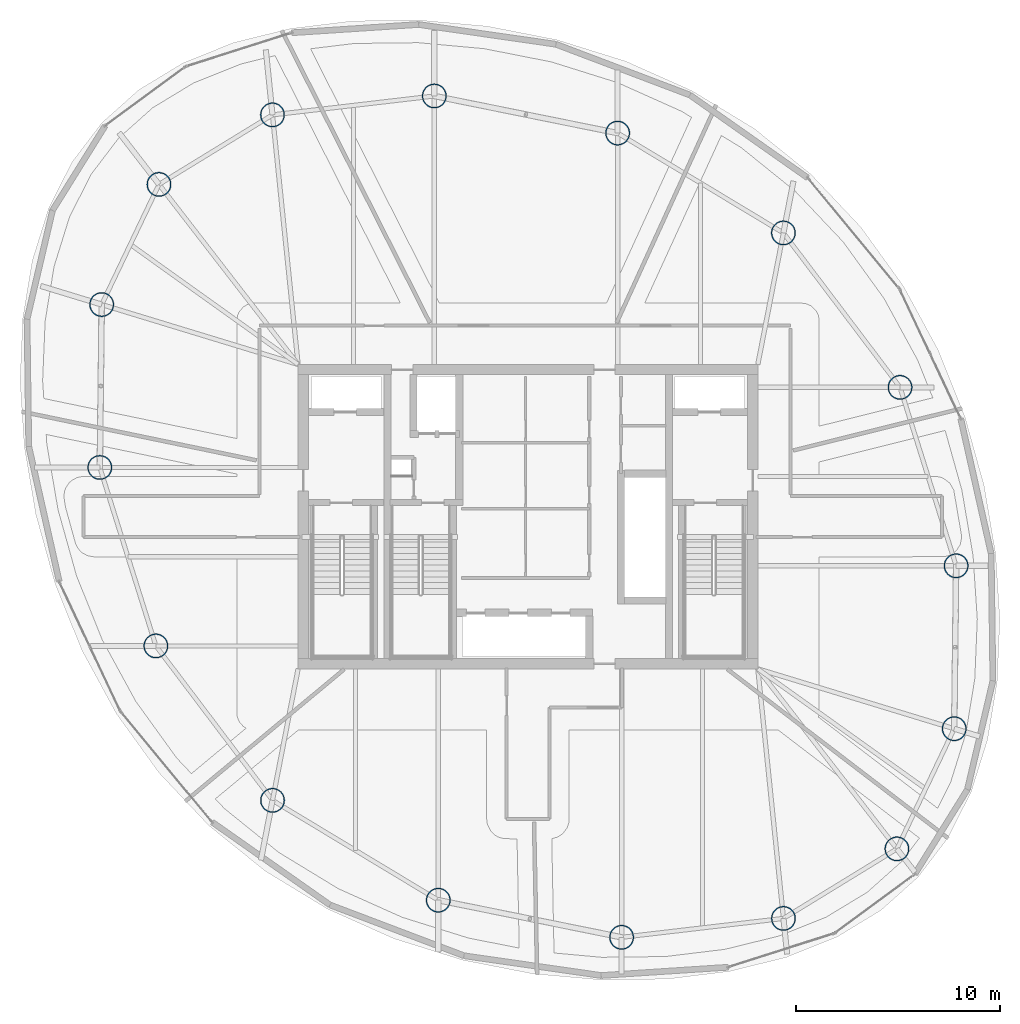
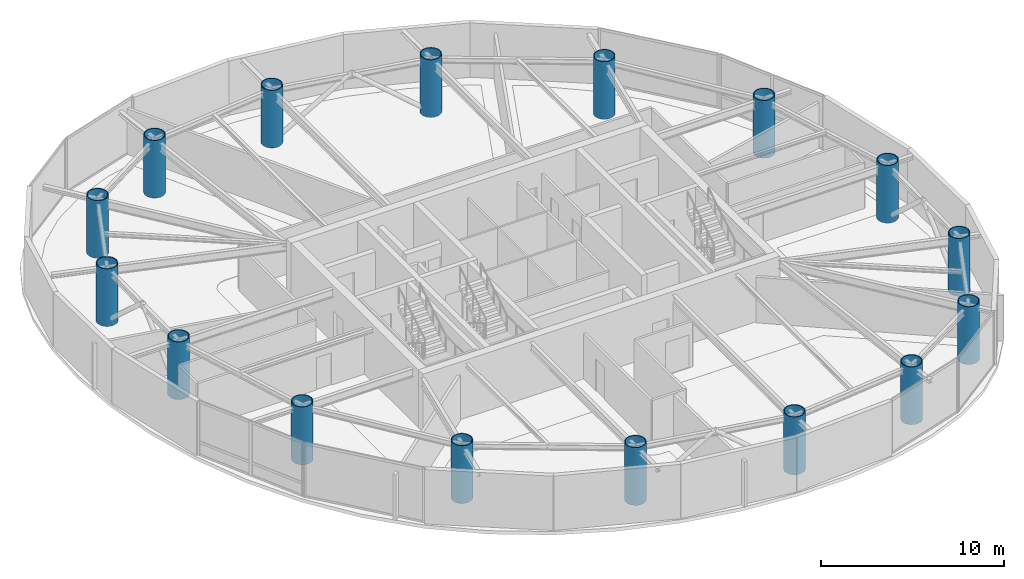
# One storey, part 1 of 20: 16 columns.
"""IFC4 building model written with IfcOpenShell, lengths in metres."""

from ifc_helpers import new_model, si_unit, direction, frame, origin, origin_2d, place, context, subcontext, project, spatial, hollow_circle, extrude, material, material_profile, profile_set, type_object, element, save


model = new_model("IFC4")

# Units and contexts
model_context = context("Model", 3, precision=1e-05, world=origin(), true_north=direction((0.0, 1.0)))
body_context = subcontext(model_context, "Body", "Model", "MODEL_VIEW")
ifc_project = project(units=[si_unit("LENGTHUNIT", "METRE"), si_unit("AREAUNIT", "SQUARE_METRE"), si_unit("VOLUMEUNIT", "CUBIC_METRE"), si_unit("PLANEANGLEUNIT", "RADIAN"), si_unit("MASSUNIT", "GRAM", prefix="KILO")], contexts=[model_context])

# Site, building, storey
site_placement = place(None, origin())
site = spatial("IfcSite", under=ifc_project, at=site_placement, CompositionType="ELEMENT")
building_placement = place(site_placement, origin())
building = spatial("IfcBuilding", under=site, at=building_placement, Name="Bramvorn Convention Spire", CompositionType="ELEMENT")
storey_placement = place(building_placement, frame((0.0, 0.0, 202.0)))
storey = spatial("IfcBuildingStorey", under=building, at=storey_placement, Name="L51", CompositionType="ELEMENT", Elevation=202.0)

# Columns
ifc_material = material(Name="Steel CSA G40.21 Grade 350 (350W)", Category="steel")
ifc_material_profile = material_profile(ifc_material, hollow_circle(Radius=0.60009765625, WallThickness=0.050048828125, at=origin_2d()))
ifc_profile_set = profile_set([ifc_material_profile], Name="Steel CSA G40.21 Grade 350 (350W) - CFT1200X50")
column_type = type_object("IfcColumnType", Name="COL-CFT1200X50", PredefinedType="COLUMN", material=ifc_profile_set)
for number, where, z_axis, x_axis, name in (
    (1, (56.058349609375, 9.739990234375, 0.0), (0.0, 0.0, 1.0), (1.0, 0.0, 0.0), "L51 composite CFT mega-column MC01"),
    (2, (58.863037109375, 15.619384765625, 0.0), (0.0, 0.0, 1.0), (1.0, 0.0, 0.0), "L51 composite CFT mega-column MC02"),
    (3, (58.95458984375, 23.593505859375, 0.0), (0.0, 0.0, 1.0), (1.0, 0.0, 0.0), "L51 composite CFT mega-column MC03"),
    (4, (56.21044921875, 32.327392578125, 0.0), (0.0, 0.0, 1.0), (1.0, 0.0, 0.0), "L51 composite CFT mega-column MC04"),
    (5, (50.501953125, 39.885009765625, 0.0), (0.0, 0.0, 1.0), (1.0, 0.0, 0.0), "L51 composite CFT mega-column MC05"),
    (6, (42.38916015625, 44.772216796875, 0.0), (0.0, 0.0, 1.0), (1.0, 0.0, 0.0), "L51 composite CFT mega-column MC06"),
    (7, (33.416259765625, 46.58837890625, 0.0), (0.0, 0.0, 1.0), (1.0, 0.0, 0.0), "L51 composite CFT mega-column MC07"),
    (8, (25.49560546875, 45.663818359375, 0.0), (0.0, 0.0, 1.0), (1.0, 0.0, 0.0), "L51 composite CFT mega-column MC08"),
    (9, (19.941650390625, 42.260009765625, 0.0), (0.0, 0.0, 1.0), (1.0, 0.0, 0.0), "L51 composite CFT mega-column MC09"),
    (10, (17.136962890625, 36.380615234375, 0.0), (0.0, 0.0, 1.0), (1.0, 0.0, 0.0), "L51 composite CFT mega-column MC10"),
    (11, (17.04541015625, 28.406494140625, 0.0), (0.0, 0.0, 1.0), (1.0, 0.0, 0.0), "L51 composite CFT mega-column MC11"),
    (12, (19.78955078125, 19.672607421875, 0.0), (0.0, 0.0, 1.0), (1.0, 0.0, 0.0), "L51 composite CFT mega-column MC12"),
    (13, (25.498046875, 12.114990234375, 0.0), (0.0, 0.0, 1.0), (1.0, 0.0, 0.0), "L51 composite CFT mega-column MC13"),
    (14, (33.61083984375, 7.227783203125, 0.0), (0.0, 0.0, 1.0), (1.0, 0.0, 0.0), "L51 composite CFT mega-column MC14"),
    (15, (42.583740234375, 5.41162109375, 0.0), (0.0, 0.0, 1.0), (1.0, 0.0, 0.0), "L51 composite CFT mega-column MC15"),
    (16, (50.50439453125, 6.336181640625, 0.0), (0.0, 0.0, 1.0), (1.0, 0.0, 0.0), "L51 composite CFT mega-column MC16"),
):
    element("IfcColumn", number, at=place(storey_placement, frame(where, z_axis=z_axis, x_axis=x_axis)), inside=storey, type_object=column_type, Name=name, PredefinedType="COLUMN", context=body_context, shape_type="SweptSolid", body=[
        extrude(hollow_circle(Radius=0.60009765625, WallThickness=0.050048828125, at=origin_2d()), origin(), (0.0, 0.0, 1.0), 3.85009765625),
    ])

save(model, "model.ifc")
